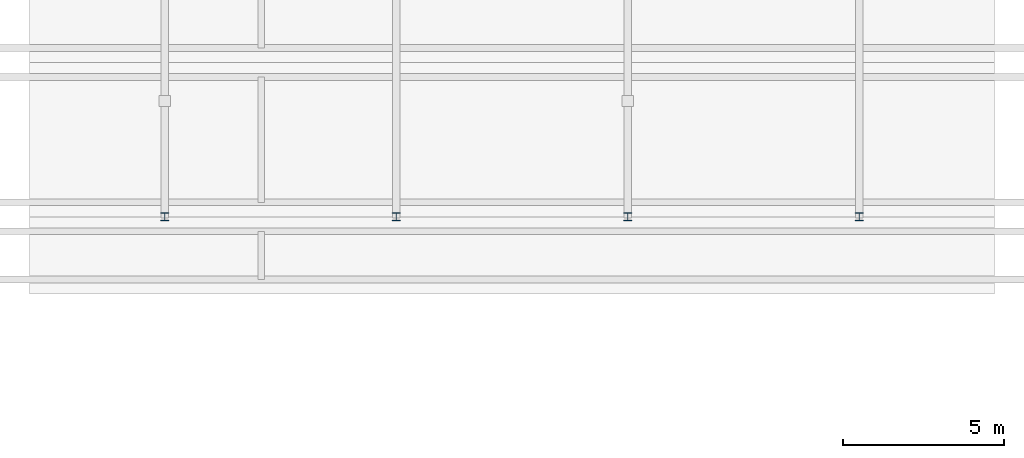
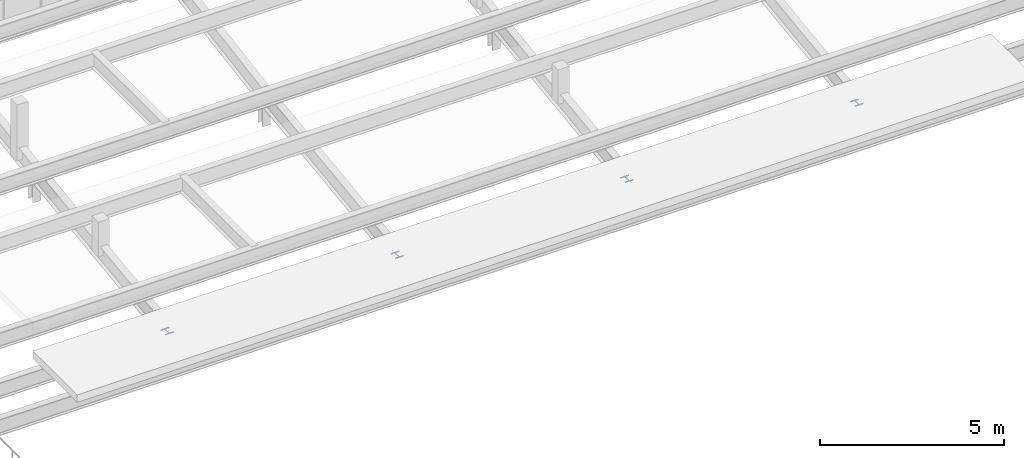
# One storey, part 12 of 117: 4 columns.
"""IFC4 building model written with IfcOpenShell, lengths in metres."""

from ifc_helpers import new_model, si_unit, direction, frame, origin, origin_2d, place, context, subcontext, project, spatial, i_section, extrude, material, material_profile, profile_set, type_object, element, save


model = new_model("IFC4")

# Units and contexts
model_context = context("Model", 3, precision=1e-05, world=origin(), true_north=direction((0.0, 1.0)))
body_context = subcontext(model_context, "Body", "Model", "MODEL_VIEW")
ifc_project = project(units=[si_unit("LENGTHUNIT", "METRE"), si_unit("AREAUNIT", "SQUARE_METRE"), si_unit("VOLUMEUNIT", "CUBIC_METRE"), si_unit("PLANEANGLEUNIT", "RADIAN"), si_unit("MASSUNIT", "GRAM", prefix="KILO")], contexts=[model_context])

# Site, building, storey
site_placement = place(None, origin())
site = spatial("IfcSite", under=ifc_project, at=site_placement, CompositionType="ELEMENT")
building_placement = place(site_placement, origin())
building = spatial("IfcBuilding", under=site, at=building_placement, Name="Carrowvane Square Congress Hotel", CompositionType="ELEMENT")
storey_placement = place(building_placement, frame((0.0, 0.0, 5.39990234375)))
storey = spatial("IfcBuildingStorey", under=building, at=storey_placement, Name="L01", CompositionType="ELEMENT", Elevation=5.39990234375)

# Columns
ifc_material = material(Name="Steel S355", Category="steel")
ifc_material_profile = material_profile(ifc_material, i_section(OverallWidth=0.25634765625, OverallDepth=0.26025390625, WebThickness=0.01025390625, FlangeThickness=0.017333984375, FilletRadius=0.0126953125, at=origin_2d()), Name="UKC 254x254x89")
ifc_profile_set = profile_set([ifc_material_profile], Name="Steel S355")
column_type = type_object("IfcColumnType", Name="COL-ST-UKC254", PredefinedType="COLUMN", material=ifc_profile_set)
for number, where, z_axis, x_axis, name in (
    (1, (26.0, 34.199951171875, 0.0), (0.0, 0.0, 1.0), (1.0, 0.0, 0.0), "L01 column RK26/RY34"),
    (2, (33.199951171875, 34.199951171875, 0.0), (0.0, 0.0, 1.0), (1.0, 0.0, 0.0), "L01 column RK33/RY34"),
    (3, (40.39990234375, 34.199951171875, 0.0), (0.0, 0.0, 1.0), (1.0, 0.0, 0.0), "L01 column RK40/RY34"),
    (4, (47.60009765625, 34.199951171875, 0.0), (0.0, 0.0, 1.0), (1.0, 0.0, 0.0), "L01 column RK47/RY34"),
):
    element("IfcColumn", number, at=place(storey_placement, frame(where, z_axis=z_axis, x_axis=x_axis)), inside=storey, type_object=column_type, Name=name, PredefinedType="COLUMN", context=body_context, shape_type="SweptSolid", body=[
        extrude(i_section(OverallWidth=0.25634765625, OverallDepth=0.26025390625, WebThickness=0.01025390625, FlangeThickness=0.017333984375, FilletRadius=0.0126953125, at=origin_2d()), origin(), (0.0, 0.0, 1.0), 0.02001953125),
    ])

save(model, "model.ifc")
